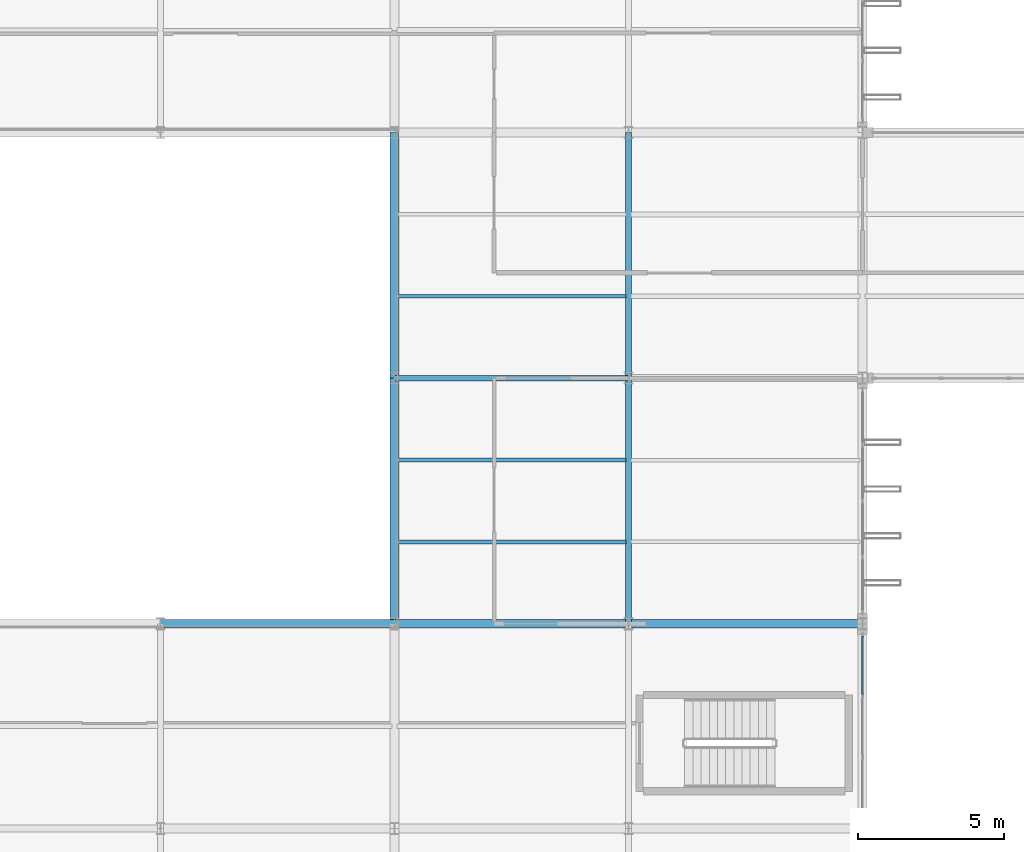
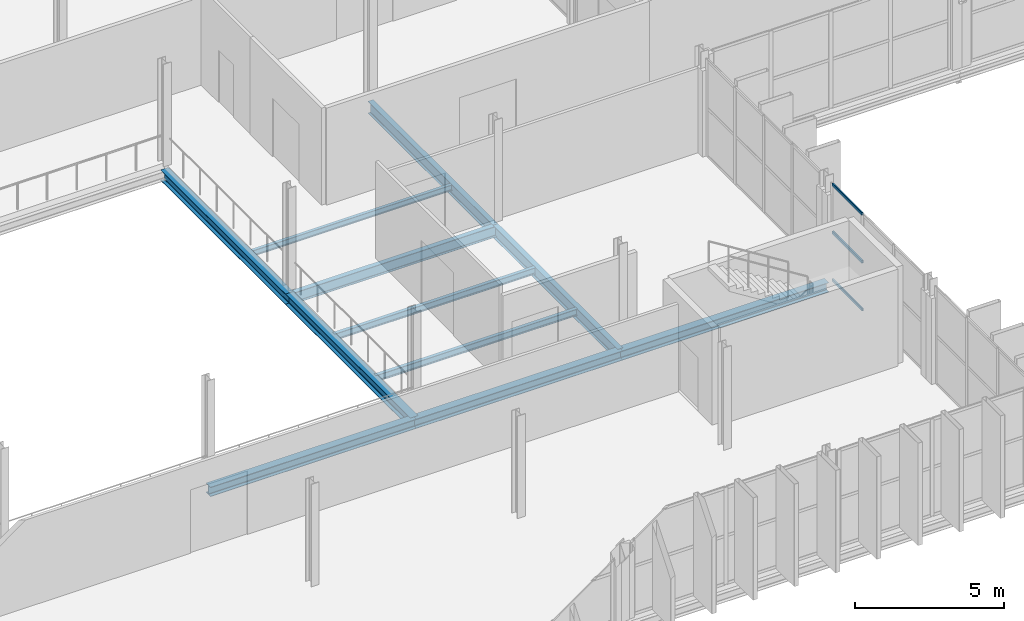
# One storey, part 36 of 101: 11 beams, 3 members, 1 element without a shape of its own.
"""IFC4 building model written with IfcOpenShell, lengths in metres."""

from ifc_helpers import new_model, si_unit, direction, frame, origin, origin_2d, place, context, subcontext, project, spatial, hollow_rectangle, i_section, extrude, material, layer, layer_set, material_profile, profile_set, type_object, element, aggregate, save


model = new_model("IFC4")

# Units and contexts
model_context = context("Model", 3, precision=1e-05, world=origin(), true_north=direction((0.0, 1.0)))
body_context = subcontext(model_context, "Body", "Model", "MODEL_VIEW")
ifc_project = project(units=[si_unit("LENGTHUNIT", "METRE"), si_unit("AREAUNIT", "SQUARE_METRE"), si_unit("VOLUMEUNIT", "CUBIC_METRE"), si_unit("PLANEANGLEUNIT", "RADIAN"), si_unit("MASSUNIT", "GRAM", prefix="KILO")], contexts=[model_context])

# Site, building, storey
site_placement = place(None, origin())
site = spatial("IfcSite", under=ifc_project, at=site_placement, CompositionType="ELEMENT")
building_placement = place(site_placement, origin())
building = spatial("IfcBuilding", under=site, at=building_placement, Name="Vekula Escarpment Museum", CompositionType="ELEMENT")
storey_placement = place(building_placement, frame((0.0, 0.0, 18.0)))
storey = spatial("IfcBuildingStorey", under=building, at=storey_placement, Name="L04", CompositionType="ELEMENT", Elevation=18.0)

# Beams
ifc_material_1 = material(Name="Steel S355", Category="steel")
ifc_material_profile_1 = material_profile(ifc_material_1, i_section(OverallWidth=0.18994140625, OverallDepth=0.449951171875, WebThickness=0.009521484375, FlangeThickness=0.0146484375, FilletRadius=0.02099609375, at=origin_2d()), Name="IPE 450")
ifc_profile_set_1 = profile_set([ifc_material_profile_1], Name="Steel S355")
beam_type_1 = type_object("IfcBeamType", Name="BM-GIRD-IPE450", PredefinedType="BEAM", material=ifc_profile_set_1)
beam_1_placement = place(storey_placement, frame((110.0, 68.0, -0.465087890625), z_axis=(1.0, 0.0, 0.0), x_axis=(0.0, 1.0, 0.0)))
element("IfcBeam", 1, at=beam_1_placement, inside=storey, type_object=beam_type_1, Name="Beam X L04 1732", PredefinedType="BEAM", context=body_context, shape_type="SweptSolid", body=[
    extrude(i_section(OverallWidth=0.18994140625, OverallDepth=0.449951171875, WebThickness=0.009521484375, FlangeThickness=0.0146484375, FilletRadius=0.02099609375, at=origin_2d()), origin(), (0.0, 0.0, 1.0), 8.0),
])
ifc_material_2 = material(Name="Steel S355", Category="steel")
ifc_material_profile_2 = material_profile(ifc_material_2, i_section(OverallWidth=0.199951171875, OverallDepth=0.5, WebThickness=0.01025390625, FlangeThickness=0.01611328125, FilletRadius=0.02099609375, at=origin_2d()), Name="IPE 500")
ifc_profile_set_2 = profile_set([ifc_material_profile_2], Name="Steel S355")
beam_type_2 = type_object("IfcBeamType", Name="BM-GIRD-IPE500", PredefinedType="BEAM", material=ifc_profile_set_2)
for number, where, z_axis, x_axis, name in (
    (2, (118.0, 59.60009765625, -0.489990234375), (0.0, 1.0, 0.0), (-1.0, 0.0, 0.0), "Beam Y L04 1907"),
    (3, (118.0, 68.0, -0.489990234375), (0.0, 1.0, 0.0), (-1.0, 0.0, 0.0), "Beam Y L04 1908"),
):
    element("IfcBeam", number, at=place(storey_placement, frame(where, z_axis=z_axis, x_axis=x_axis)), inside=storey, type_object=beam_type_2, Name=name, PredefinedType="BEAM", context=body_context, shape_type="SweptSolid", body=[
        extrude(i_section(OverallWidth=0.199951171875, OverallDepth=0.5, WebThickness=0.01025390625, FlangeThickness=0.01611328125, FilletRadius=0.02099609375, at=origin_2d()), origin(), (0.0, 0.0, 1.0), 8.39990234375),
    ])
ifc_material_3 = material(Name="Steel S355", Category="steel")
ifc_material_profile_3 = material_profile(ifc_material_3, i_section(OverallWidth=0.1201171875, OverallDepth=0.239990234375, WebThickness=0.006103515625, FlangeThickness=0.009765625, FilletRadius=0.014892578125, at=origin_2d()), Name="IPE 240")
ifc_profile_set_3 = profile_set([ifc_material_profile_3], Name="Steel S355")
beam_type_3 = type_object("IfcBeamType", Name="BM-JST-IPE240", PredefinedType="JOIST", material=ifc_profile_set_3)
beam_2_placement = place(storey_placement, frame((110.090087890625, 70.800048828125, -0.360107421875), z_axis=(1.0, 0.0, 0.0), x_axis=(0.0, 1.0, 0.0)))
element("IfcBeam", 4, at=beam_2_placement, inside=storey, type_object=beam_type_3, Name="Secondary Joist L04 1227", PredefinedType="JOIST", context=body_context, shape_type="SweptSolid", body=[
    extrude(i_section(OverallWidth=0.1201171875, OverallDepth=0.239990234375, WebThickness=0.006103515625, FlangeThickness=0.009765625, FilletRadius=0.014892578125, at=origin_2d()), origin(), (0.0, 0.0, 1.0), 7.81982421875),
])
ifc_material_4 = material(Name="Steel S355", Category="steel")
ifc_material_profile_4 = material_profile(ifc_material_4, i_section(OverallWidth=0.135009765625, OverallDepth=0.27001953125, WebThickness=0.006591796875, FlangeThickness=0.01025390625, FilletRadius=0.014892578125, at=origin_2d()), Name="IPE 270")
ifc_profile_set_4 = profile_set([ifc_material_profile_4], Name="Steel S355")
beam_type_4 = type_object("IfcBeamType", Name="BM-JST-IPE270", PredefinedType="JOIST", material=ifc_profile_set_4)
for number, where, z_axis, x_axis, name in (
    (5, (110.090087890625, 62.39990234375, -0.375), (1.0, 0.0, 0.0), (0.0, 1.0, 0.0), "Secondary Joist L04 1225"),
    (6, (110.090087890625, 65.199951171875, -0.375), (1.0, 0.0, 0.0), (0.0, 1.0, 0.0), "Secondary Joist L04 1226"),
):
    element("IfcBeam", number, at=place(storey_placement, frame(where, z_axis=z_axis, x_axis=x_axis)), inside=storey, type_object=beam_type_4, Name=name, PredefinedType="JOIST", context=body_context, shape_type="SweptSolid", body=[
        extrude(i_section(OverallWidth=0.135009765625, OverallDepth=0.27001953125, WebThickness=0.006591796875, FlangeThickness=0.01025390625, FilletRadius=0.014892578125, at=origin_2d()), origin(), (0.0, 0.0, 1.0), 7.81982421875),
    ])
ifc_material_5 = material(Name="Steel S355", Category="steel")
ifc_material_profile_5 = material_profile(ifc_material_5, i_section(OverallWidth=0.300048828125, OverallDepth=0.389892578125, WebThickness=0.010986328125, FlangeThickness=0.01904296875, FilletRadius=0.027099609375, at=origin_2d()), Name="HEA 400")
ifc_profile_set_5 = profile_set([ifc_material_profile_5], Name="Steel S355")
beam_type_5 = type_object("IfcBeamType", Name="BM-SPAN-HEA400", PredefinedType="SPANDREL", material=ifc_profile_set_5)
for number, where, z_axis, x_axis, name in (
    (7, (102.0, 59.60009765625, -0.43505859375), (1.0, 0.0, 0.0), (0.0, 1.0, 0.0), "Beam X L04 1716"),
    (8, (110.0, 59.60009765625, -0.43505859375), (1.0, 0.0, 0.0), (0.0, 1.0, 0.0), "Beam X L04 1717"),
    (9, (118.0, 59.60009765625, -0.43505859375), (1.0, 0.0, 0.0), (0.0, 1.0, 0.0), "Beam X L04 1718"),
):
    element("IfcBeam", number, at=place(storey_placement, frame(where, z_axis=z_axis, x_axis=x_axis)), inside=storey, type_object=beam_type_5, Name=name, PredefinedType="SPANDREL", context=body_context, shape_type="SweptSolid", body=[
        extrude(i_section(OverallWidth=0.300048828125, OverallDepth=0.389892578125, WebThickness=0.010986328125, FlangeThickness=0.01904296875, FilletRadius=0.027099609375, at=origin_2d()), origin(), (0.0, 0.0, 1.0), 8.0),
    ])
ifc_material_6 = material(Name="Steel S355", Category="steel")
ifc_material_profile_6 = material_profile(ifc_material_6, i_section(OverallWidth=0.300048828125, OverallDepth=0.43994140625, WebThickness=0.011474609375, FlangeThickness=0.02099609375, FilletRadius=0.027099609375, at=origin_2d()), Name="HEA 450")
ifc_profile_set_6 = profile_set([ifc_material_profile_6], Name="Steel S355")
beam_type_6 = type_object("IfcBeamType", Name="BM-SPAN-HEA450", PredefinedType="SPANDREL", material=ifc_profile_set_6)
for number, where, z_axis, x_axis, name in (
    (10, (110.0, 59.60009765625, -0.4599609375), (0.0, 1.0, 0.0), (-1.0, 0.0, 0.0), "Beam Y L04 1901"),
    (11, (110.0, 68.0, -0.4599609375), (0.0, 1.0, 0.0), (-1.0, 0.0, 0.0), "Beam Y L04 1902"),
):
    element("IfcBeam", number, at=place(storey_placement, frame(where, z_axis=z_axis, x_axis=x_axis)), inside=storey, type_object=beam_type_6, Name=name, PredefinedType="SPANDREL", context=body_context, shape_type="SweptSolid", body=[
        extrude(i_section(OverallWidth=0.300048828125, OverallDepth=0.43994140625, WebThickness=0.011474609375, FlangeThickness=0.02099609375, FilletRadius=0.027099609375, at=origin_2d()), origin(), (0.0, 0.0, 1.0), 8.39990234375),
    ])

# Curtain wall, members
ifc_material_7 = material(Name="Aluminium thermally broken framing", Category="aluminium")
ifc_layer = layer(ifc_material_7, 0.169921875)
ifc_layer_set = layer_set([ifc_layer], Name="Aluminium thermally broken framing")
curtain_wall_type = type_object("IfcCurtainWallType", Name="CW-SYS-10", PredefinedType="NOTDEFINED", material=ifc_layer_set)
curtain_wall_placement = place(storey_placement, origin())
curtain_wall = element("IfcCurtainWall", 12, at=curtain_wall_placement, inside=storey, type_object=curtain_wall_type, Name="Curtain Wall CW-L04-140", PredefinedType="NOTDEFINED")
ifc_material_8 = material(Name="Aluminium anodized transom", Category="aluminium")
ifc_material_profile_7 = material_profile(ifc_material_8, hollow_rectangle(XDim=0.06005859375, YDim=0.1201171875, WallThickness=0.00390625, InnerFilletRadius=0.00390625, OuterFilletRadius=0.008056640625, at=origin_2d()), Name="ALU 120x60x4")
ifc_profile_set_7 = profile_set([ifc_material_profile_7], Name="Aluminium anodized transom")
member_type = type_object("IfcMemberType", Name="CW-TRN-120", PredefinedType="USERDEFINED", material=ifc_profile_set_7)
member_1_placement = place(storey_placement, frame((126.0, 57.1767578125, 0.030029296875), z_axis=(0.0, 1.0, 0.0), x_axis=(-1.0, 0.0, 0.0)))
member_1 = element("IfcMember", 13, at=member_1_placement, type_object=member_type, Name="CW-10 transom 3.1", ObjectType="TRANSOM", PredefinedType="USERDEFINED", context=body_context, shape_type="SweptSolid", body=[
    extrude(hollow_rectangle(XDim=0.06005859375, YDim=0.1201171875, WallThickness=0.00390625, InnerFilletRadius=0.00390625, OuterFilletRadius=0.008056640625, at=origin_2d()), origin(), (0.0, 0.0, 1.0), 2.003173828125),
])
member_2_placement = place(storey_placement, frame((126.0, 57.1767578125, 1.989990234375), z_axis=(0.0, 1.0, 0.0), x_axis=(-1.0, 0.0, 0.0)))
member_2 = element("IfcMember", 14, at=member_2_placement, type_object=member_type, Name="CW-10 transom 3.2", ObjectType="TRANSOM", PredefinedType="USERDEFINED", context=body_context, shape_type="SweptSolid", body=[
    extrude(hollow_rectangle(XDim=0.06005859375, YDim=0.1201171875, WallThickness=0.00390625, InnerFilletRadius=0.00390625, OuterFilletRadius=0.008056640625, at=origin_2d()), origin(), (0.0, 0.0, 1.0), 2.003173828125),
])
member_3_placement = place(storey_placement, frame((126.0, 57.1767578125, 3.949951171875), z_axis=(0.0, 1.0, 0.0), x_axis=(-1.0, 0.0, 0.0)))
member_3 = element("IfcMember", 15, at=member_3_placement, type_object=member_type, Name="CW-10 transom 3.3", ObjectType="TRANSOM", PredefinedType="USERDEFINED", context=body_context, shape_type="SweptSolid", body=[
    extrude(hollow_rectangle(XDim=0.06005859375, YDim=0.1201171875, WallThickness=0.00390625, InnerFilletRadius=0.00390625, OuterFilletRadius=0.008056640625, at=origin_2d()), origin(), (0.0, 0.0, 1.0), 2.003173828125),
])
aggregate(curtain_wall, [member_1, member_2, member_3])

save(model, "model.ifc")
